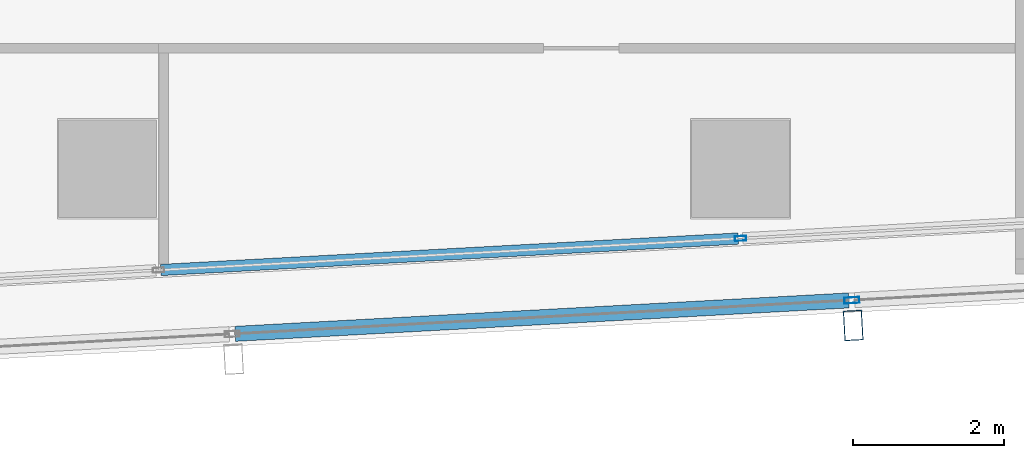
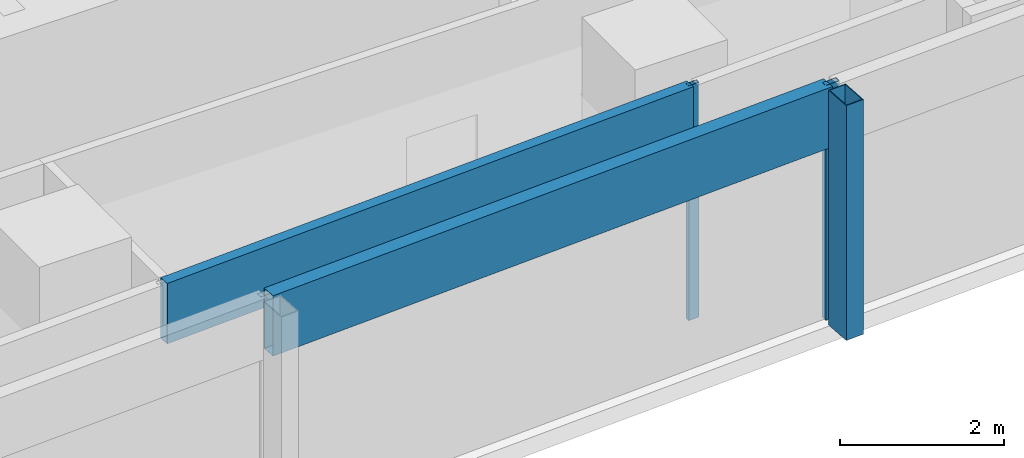
# One storey, part 10 of 26: 5 members, 2 elements without a shape of their own.
"""IFC4 building model written with IfcOpenShell, lengths in metres."""

from ifc_helpers import new_model, si_unit, direction, frame, origin, origin_2d, place, context, subcontext, project, spatial, hollow_rectangle, extrude, material, material_profile, profile_set, type_object, element, aggregate, save


model = new_model("IFC4")

# Units and contexts
model_context = context("Model", 3, precision=1e-05, world=origin(), true_north=direction((0.0, 1.0)))
body_context = subcontext(model_context, "Body", "Model", "MODEL_VIEW")
ifc_project = project(units=[si_unit("LENGTHUNIT", "METRE"), si_unit("AREAUNIT", "SQUARE_METRE"), si_unit("VOLUMEUNIT", "CUBIC_METRE"), si_unit("PLANEANGLEUNIT", "RADIAN"), si_unit("MASSUNIT", "GRAM", prefix="KILO")], contexts=[model_context])

# Site, building, storey
site_placement = place(None, origin())
site = spatial("IfcSite", under=ifc_project, at=site_placement, CompositionType="ELEMENT")
building_placement = place(site_placement, origin())
building = spatial("IfcBuilding", under=site, at=building_placement, Name="Rekha Terrace Tower", CompositionType="ELEMENT")
storey_placement = place(building_placement, frame((0.0, 0.0, 283.85009765625)))
storey = spatial("IfcBuildingStorey", under=building, at=storey_placement, Name="L72", CompositionType="ELEMENT", Elevation=283.85009765625)

# Curtain wall, member
ifc_material_1 = material(Name="Aluminium framing", Category="aluminium")
curtain_wall_type_1 = type_object("IfcCurtainWallType", Name="CW2 double skin outer glazing", PredefinedType="USERDEFINED", material=ifc_material_1)
curtain_wall_1_placement = place(storey_placement, origin())
curtain_wall_1 = element("IfcCurtainWall", 1, at=curtain_wall_1_placement, inside=storey, type_object=curtain_wall_type_1, Name="CW2 double skin outer glazing", ObjectType="DOUBLE SKIN OUTER GLAZING", PredefinedType="USERDEFINED")
ifc_material_2 = material(Name="Steel S355 with fluorocarbon finish", Category="steel")
ifc_material_profile_1 = material_profile(ifc_material_2, hollow_rectangle(XDim=0.25, YDim=0.39990234375, WallThickness=0.012451171875, at=origin_2d()), Name="RHS400x250x12.5")
ifc_profile_set_1 = profile_set([ifc_material_profile_1], Name="Steel S355 with fluorocarbon finish")
member_type_1 = type_object("IfcMemberType", Name="BL1 facade blade RHS 400 x 250", PredefinedType="USERDEFINED", material=ifc_profile_set_1)
member_1_placement = place(storey_placement, frame((51.894775390625, 14.719482421875, 0.0), z_axis=(0.0, 0.0, 1.0), x_axis=(0.99851982155, 0.054389024366, 0.0)))
member_1 = element("IfcMember", 2, at=member_1_placement, type_object=member_type_1, Name="Facade blade", ObjectType="FACADE BLADE", PredefinedType="USERDEFINED", context=body_context, shape_type="SweptSolid", body=[
    extrude(hollow_rectangle(XDim=0.25, YDim=0.39990234375, WallThickness=0.012451171875, at=origin_2d()), origin(), (0.0, 0.0, 1.0), 3.5),
])

# Curtain wall, members
curtain_wall_type_2 = type_object("IfcCurtainWallType", Name="CW1 double skin inner glazing", PredefinedType="USERDEFINED", material=ifc_material_1)
curtain_wall_2_placement = place(storey_placement, origin())
curtain_wall_2 = element("IfcCurtainWall", 3, at=curtain_wall_2_placement, inside=storey, type_object=curtain_wall_type_2, Name="CW1 double skin inner glazing", ObjectType="DOUBLE SKIN INNER GLAZING", PredefinedType="USERDEFINED")
ifc_material_3 = material(Name="Aluminium mullion section", Category="aluminium")
ifc_material_profile_2 = material_profile(ifc_material_3, hollow_rectangle(XDim=0.06494140625, YDim=0.14990234375, WallThickness=0.00390625, at=origin_2d()), Name="AL RHS 65x150")
ifc_profile_set_2 = profile_set([ifc_material_profile_2], Name="Aluminium mullion section")
member_type_2 = type_object("IfcMemberType", Name="CW1 mullion RHS 65 x 150", PredefinedType="MULLION", material=ifc_profile_set_2)
member_2_placement = place(storey_placement, frame((50.399169921875, 15.875, 0.0), z_axis=(0.0, 0.0, 1.0), x_axis=(-0.054388903036, 0.998519828159, 0.0)))
member_2 = element("IfcMember", 4, at=member_2_placement, type_object=member_type_2, Name="CW1 mullion 4", PredefinedType="MULLION", context=body_context, shape_type="SweptSolid", body=[
    extrude(hollow_rectangle(XDim=0.06494140625, YDim=0.14990234375, WallThickness=0.00390625, at=origin_2d()), origin(), (0.0, 0.0, 1.0), 3.5),
])
ifc_material_4 = material(Name="Insulated aluminium spandrel box", Category="aluminium")
ifc_material_profile_3 = material_profile(ifc_material_4, hollow_rectangle(XDim=0.14990234375, YDim=0.89990234375, WallThickness=0.0029296875, at=origin_2d()), Name="AL SPANDREL BOX 150x900")
ifc_profile_set_3 = profile_set([ifc_material_profile_3], Name="Insulated aluminium spandrel box")
member_type_3 = type_object("IfcMemberType", Name="CW1 spandrel transom 150 x 900", PredefinedType="USERDEFINED", material=ifc_profile_set_3)
member_3_placement = place(storey_placement, frame((42.7060546875, 15.4560546875, 3.0498046875), z_axis=(0.998520078442, 0.054384307925, 0.0), x_axis=(-0.054384307925, 0.998520078442, 0.0)))
member_3 = element("IfcMember", 5, at=member_3_placement, type_object=member_type_3, Name="CW1 spandrel transom 3", ObjectType="TRANSOM", PredefinedType="USERDEFINED", context=body_context, shape_type="SweptSolid", body=[
    extrude(hollow_rectangle(XDim=0.14990234375, YDim=0.89990234375, WallThickness=0.0029296875, at=origin_2d()), origin(), (0.0, 0.0, 1.0), 7.672119140625),
])
aggregate(curtain_wall_2, [member_2, member_3])

# Member
ifc_material_profile_4 = material_profile(ifc_material_3, hollow_rectangle(XDim=0.080078125, YDim=0.199951171875, WallThickness=0.00390625, at=origin_2d()), Name="AL RHS 80x200")
ifc_profile_set_4 = profile_set([ifc_material_profile_4], Name="Aluminium mullion section")
member_type_4 = type_object("IfcMemberType", Name="CW2 mullion RHS 80 x 200", PredefinedType="MULLION", material=ifc_profile_set_4)
member_4_placement = place(storey_placement, frame((51.87646484375, 15.05419921875, 0.0), z_axis=(0.0, 0.0, 1.0), x_axis=(-0.054388903071, 0.998519828157, 0.0)))
member_4 = element("IfcMember", 6, at=member_4_placement, type_object=member_type_4, Name="CW2 mullion 4", PredefinedType="MULLION", context=body_context, shape_type="SweptSolid", body=[
    extrude(hollow_rectangle(XDim=0.080078125, YDim=0.199951171875, WallThickness=0.00390625, at=origin_2d()), origin(), (0.0, 0.0, 1.0), 3.5),
])

ifc_material_profile_5 = material_profile(ifc_material_4, hollow_rectangle(XDim=0.199951171875, YDim=0.89990234375, WallThickness=0.0029296875, at=origin_2d()), Name="AL SPANDREL BOX 200x900")
ifc_profile_set_5 = profile_set([ifc_material_profile_5], Name="Insulated aluminium spandrel box")
member_type_5 = type_object("IfcMemberType", Name="CW2 spandrel transom 200 x 900", PredefinedType="USERDEFINED", material=ifc_profile_set_5)
member_5_placement = place(storey_placement, frame((43.693115234375, 14.6083984375, 3.0498046875), z_axis=(0.998519642092, 0.054392318914, 0.0), x_axis=(-0.054392318914, 0.998519642092, 0.0)))
member_5 = element("IfcMember", 7, at=member_5_placement, type_object=member_type_5, Name="CW2 spandrel transom 3", ObjectType="TRANSOM", PredefinedType="USERDEFINED", context=body_context, shape_type="SweptSolid", body=[
    extrude(hollow_rectangle(XDim=0.199951171875, YDim=0.89990234375, WallThickness=0.0029296875, at=origin_2d()), origin(), (0.0, 0.0, 1.0), 8.155517578125),
])

aggregate(curtain_wall_1, [member_4, member_5, member_1])

save(model, "model.ifc")
